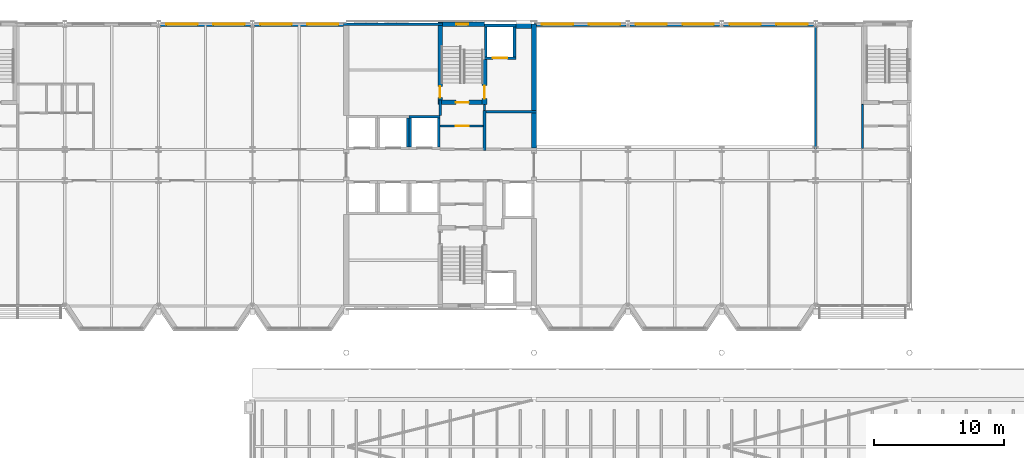
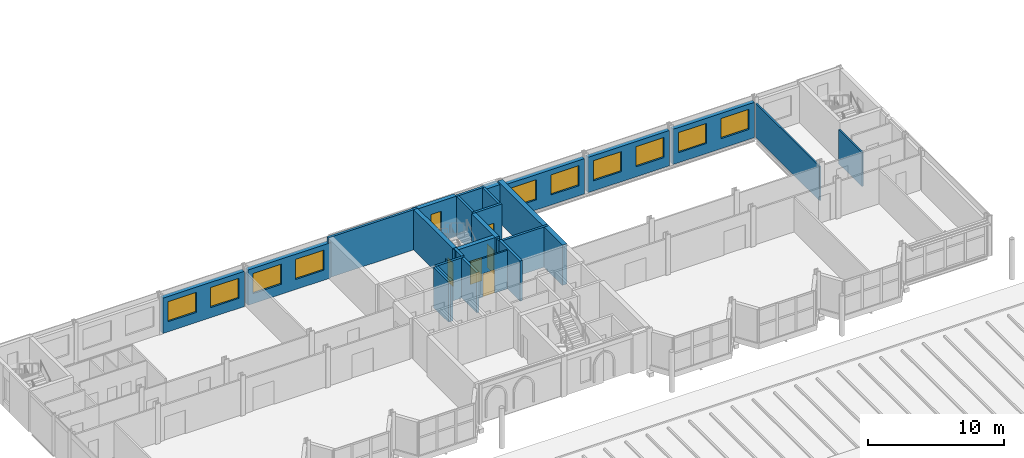
# One storey, part 64 of 120: 28 walls, 11 windows, 5 doors, 16 openings.
"""IFC4 building model written with IfcOpenShell, lengths in metres."""

from ifc_helpers import new_model, si_unit, direction, frame, frame_2d, origin, place, context, subcontext, project, spatial, rectangle, extrude, material, layer, layer_set, type_object, element, fill, save


model = new_model("IFC4")

# Units and contexts
model_context = context("Model", 3, precision=1e-05, world=origin(), true_north=direction((0.0, 1.0)))
body_context = subcontext(model_context, "Body", "Model", "MODEL_VIEW")
ifc_project = project(units=[si_unit("LENGTHUNIT", "METRE"), si_unit("AREAUNIT", "SQUARE_METRE"), si_unit("VOLUMEUNIT", "CUBIC_METRE"), si_unit("PLANEANGLEUNIT", "RADIAN"), si_unit("MASSUNIT", "GRAM", prefix="KILO")], contexts=[model_context])

# Site, building, storey
site_placement = place(None, origin())
site = spatial("IfcSite", under=ifc_project, at=site_placement, CompositionType="ELEMENT")
building_placement = place(site_placement, origin())
building = spatial("IfcBuilding", under=site, at=building_placement, Name="Kupolbacken Congress Centre", CompositionType="ELEMENT")
storey_placement = place(building_placement, frame((0.0, 0.0, 21.60009765625)))
storey = spatial("IfcBuildingStorey", under=building, at=storey_placement, Name="L06", CompositionType="ELEMENT", Elevation=21.60009765625)

# Wall, openings, windows
ifc_material_1 = material(Name="Brick", Category="masonry")
ifc_layer_1 = layer(ifc_material_1, 0.10791015625)
ifc_material_2 = material(Name="Air cavity", Category="air")
ifc_layer_2 = layer(ifc_material_2, 0.050048828125, ventilated=True)
ifc_material_3 = material(Name="Mineral wool", Category="insulation")
ifc_layer_3 = layer(ifc_material_3, 0.1298828125)
ifc_material_4 = material(Name="Steel studs", Category="metal")
ifc_layer_4 = layer(ifc_material_4, 0.052001953125)
ifc_layer_set_1 = layer_set([ifc_layer_1, ifc_layer_2, ifc_layer_3, ifc_layer_4], Name="Brick / Mineral wool / Steel studs")
wall_type_1 = type_object("IfcWallType", Name="EW02 external cavity wall 340", PredefinedType="SOLIDWALL", material=ifc_layer_set_1)
wall_1_placement = place(storey_placement, frame((129.446533203125, 144.0, 0.0), z_axis=(0.0, 0.0, 1.0), x_axis=(-1.0, 0.0, 0.0)))
wall_1 = element("IfcWall", 1, at=wall_1_placement, inside=storey, type_object=wall_type_1, Name="E/T/N/L06/085", PredefinedType="SOLIDWALL", context=body_context, shape_type="SweptSolid", body=[
    extrude(rectangle(XDim=6.89306640625, YDim=0.340087890625, at=frame_2d((3.446533203125, 0.0))), origin(), (0.0, 0.0, 1.0), 3.159912109375),
])
opening_1_placement = place(wall_1_placement, frame((4.04638671875, 0.0, 0.89990234375)))
opening_1 = element("IfcOpeningElement", 2, at=opening_1_placement, cuts=wall_1, Name="Opening W8", PredefinedType="OPENING", context=body_context, shape_type="SweptSolid", body=[
    extrude(rectangle(XDim=2.39990234375, YDim=1.800048828125, at=frame_2d((1.199951171875, 0.89990234375))), frame((0.0, 0.179931640625, 0.0), z_axis=(0.0, -1.0, 0.0), x_axis=(1.0, 0.0, 0.0)), (0.0, 0.0, 1.0), 0.360107421875),
])
opening_2_placement = place(wall_1_placement, frame((0.446533203125, 0.0, 0.89990234375)))
opening_2 = element("IfcOpeningElement", 3, at=opening_2_placement, cuts=wall_1, Name="Opening W8", PredefinedType="OPENING", context=body_context, shape_type="SweptSolid", body=[
    extrude(rectangle(XDim=2.39990234375, YDim=1.800048828125, at=frame_2d((1.199951171875, 0.89990234375))), frame((0.0, 0.179931640625, 0.0), z_axis=(0.0, -1.0, 0.0), x_axis=(1.0, 0.0, 0.0)), (0.0, 0.0, 1.0), 0.360107421875),
])
ifc_material_5 = material(Name="Aluminium frame with double or triple glazing", Category="aluminium")
window_type_1 = type_object("IfcWindowType", Name="W8 window 2400x1800", PartitioningType="DOUBLE_PANEL_VERTICAL", PredefinedType="WINDOW", material=ifc_material_5)
window_1_placement = place(opening_1_placement, origin())
window_1 = element("IfcWindow", 4, at=window_1_placement, inside=storey, type_object=window_type_1, Name="E/T/N/L06/085/W1", OverallHeight=1.800048828125, OverallWidth=2.39990234375, PartitioningType="SINGLE_PANEL", PredefinedType="WINDOW", context=body_context, shape_type="SweptSolid", body=[
    extrude(rectangle(XDim=2.39990234375, YDim=1.800048828125, at=frame_2d((1.199951171875, 0.89990234375))), frame((0.0, 0.030029296875, 0.0), z_axis=(0.0, -1.0, 0.0), x_axis=(1.0, 0.0, 0.0)), (0.0, 0.0, 1.0), 0.06005859375),
])
fill(opening_1, window_1)
window_2_placement = place(opening_2_placement, origin())
window_2 = element("IfcWindow", 5, at=window_2_placement, inside=storey, type_object=window_type_1, Name="E/T/N/L06/085/W2", OverallHeight=1.800048828125, OverallWidth=2.39990234375, PartitioningType="SINGLE_PANEL", PredefinedType="WINDOW", context=body_context, shape_type="SweptSolid", body=[
    extrude(rectangle(XDim=2.39990234375, YDim=1.800048828125, at=frame_2d((1.199951171875, 0.89990234375))), frame((0.0, 0.030029296875, 0.0), z_axis=(0.0, -1.0, 0.0), x_axis=(1.0, 0.0, 0.0)), (0.0, 0.0, 1.0), 0.06005859375),
])
fill(opening_2, window_2)

wall_2_placement = place(storey_placement, frame((122.24658203125, 144.0, 0.0), z_axis=(0.0, 0.0, 1.0), x_axis=(-1.0, 0.0, 0.0)))
wall_2 = element("IfcWall", 6, at=wall_2_placement, inside=storey, type_object=wall_type_1, Name="E/T/N/L06/086", PredefinedType="SOLIDWALL", context=body_context, shape_type="SweptSolid", body=[
    extrude(rectangle(XDim=6.89306640625, YDim=0.340087890625, at=frame_2d((3.446533203125, 0.0))), origin(), (0.0, 0.0, 1.0), 3.159912109375),
])
opening_3_placement = place(wall_2_placement, frame((4.04638671875, 0.0, 0.89990234375)))
opening_3 = element("IfcOpeningElement", 7, at=opening_3_placement, cuts=wall_2, Name="Opening W8", PredefinedType="OPENING", context=body_context, shape_type="SweptSolid", body=[
    extrude(rectangle(XDim=2.39990234375, YDim=1.800048828125, at=frame_2d((1.199951171875, 0.89990234375))), frame((0.0, 0.179931640625, 0.0), z_axis=(0.0, -1.0, 0.0), x_axis=(1.0, 0.0, 0.0)), (0.0, 0.0, 1.0), 0.360107421875),
])
opening_4_placement = place(wall_2_placement, frame((0.446533203125, 0.0, 0.89990234375)))
opening_4 = element("IfcOpeningElement", 8, at=opening_4_placement, cuts=wall_2, Name="Opening W8", PredefinedType="OPENING", context=body_context, shape_type="SweptSolid", body=[
    extrude(rectangle(XDim=2.39990234375, YDim=1.800048828125, at=frame_2d((1.199951171875, 0.89990234375))), frame((0.0, 0.179931640625, 0.0), z_axis=(0.0, -1.0, 0.0), x_axis=(1.0, 0.0, 0.0)), (0.0, 0.0, 1.0), 0.360107421875),
])
window_3_placement = place(opening_3_placement, origin())
window_3 = element("IfcWindow", 9, at=window_3_placement, inside=storey, type_object=window_type_1, Name="E/T/N/L06/086/W1", OverallHeight=1.800048828125, OverallWidth=2.39990234375, PartitioningType="SINGLE_PANEL", PredefinedType="WINDOW", context=body_context, shape_type="SweptSolid", body=[
    extrude(rectangle(XDim=2.39990234375, YDim=1.800048828125, at=frame_2d((1.199951171875, 0.89990234375))), frame((0.0, 0.030029296875, 0.0), z_axis=(0.0, -1.0, 0.0), x_axis=(1.0, 0.0, 0.0)), (0.0, 0.0, 1.0), 0.06005859375),
])
fill(opening_3, window_3)
window_4_placement = place(opening_4_placement, origin())
window_4 = element("IfcWindow", 10, at=window_4_placement, inside=storey, type_object=window_type_1, Name="E/T/N/L06/086/W2", OverallHeight=1.800048828125, OverallWidth=2.39990234375, PartitioningType="SINGLE_PANEL", PredefinedType="WINDOW", context=body_context, shape_type="SweptSolid", body=[
    extrude(rectangle(XDim=2.39990234375, YDim=1.800048828125, at=frame_2d((1.199951171875, 0.89990234375))), frame((0.0, 0.030029296875, 0.0), z_axis=(0.0, -1.0, 0.0), x_axis=(1.0, 0.0, 0.0)), (0.0, 0.0, 1.0), 0.06005859375),
])
fill(opening_4, window_4)

wall_3_placement = place(storey_placement, frame((115.04638671875, 144.0, 0.0), z_axis=(0.0, 0.0, 1.0), x_axis=(-1.0, 0.0, 0.0)))
wall_3 = element("IfcWall", 11, at=wall_3_placement, inside=storey, type_object=wall_type_1, Name="E/T/N/L06/087", PredefinedType="SOLIDWALL", context=body_context, shape_type="SweptSolid", body=[
    extrude(rectangle(XDim=7.04638671875, YDim=0.340087890625, at=frame_2d((3.523193359375, 0.0))), origin(), (0.0, 0.0, 1.0), 3.159912109375),
])
opening_5_placement = place(wall_3_placement, frame((4.04638671875, 0.0, 0.89990234375)))
opening_5 = element("IfcOpeningElement", 12, at=opening_5_placement, cuts=wall_3, Name="Opening W8", PredefinedType="OPENING", context=body_context, shape_type="SweptSolid", body=[
    extrude(rectangle(XDim=2.39990234375, YDim=1.800048828125, at=frame_2d((1.199951171875, 0.89990234375))), frame((0.0, 0.179931640625, 0.0), z_axis=(0.0, -1.0, 0.0), x_axis=(1.0, 0.0, 0.0)), (0.0, 0.0, 1.0), 0.360107421875),
])
opening_6_placement = place(wall_3_placement, frame((0.446533203125, 0.0, 0.89990234375)))
opening_6 = element("IfcOpeningElement", 13, at=opening_6_placement, cuts=wall_3, Name="Opening W8", PredefinedType="OPENING", context=body_context, shape_type="SweptSolid", body=[
    extrude(rectangle(XDim=2.39990234375, YDim=1.800048828125, at=frame_2d((1.199951171875, 0.89990234375))), frame((0.0, 0.179931640625, 0.0), z_axis=(0.0, -1.0, 0.0), x_axis=(1.0, 0.0, 0.0)), (0.0, 0.0, 1.0), 0.360107421875),
])
window_5_placement = place(opening_5_placement, origin())
window_5 = element("IfcWindow", 14, at=window_5_placement, inside=storey, type_object=window_type_1, Name="E/T/N/L06/087/W1", OverallHeight=1.800048828125, OverallWidth=2.39990234375, PartitioningType="SINGLE_PANEL", PredefinedType="WINDOW", context=body_context, shape_type="SweptSolid", body=[
    extrude(rectangle(XDim=2.39990234375, YDim=1.800048828125, at=frame_2d((1.199951171875, 0.89990234375))), frame((0.0, 0.030029296875, 0.0), z_axis=(0.0, -1.0, 0.0), x_axis=(1.0, 0.0, 0.0)), (0.0, 0.0, 1.0), 0.06005859375),
])
fill(opening_5, window_5)
window_6_placement = place(opening_6_placement, origin())
window_6 = element("IfcWindow", 15, at=window_6_placement, inside=storey, type_object=window_type_1, Name="E/T/N/L06/087/W2", OverallHeight=1.800048828125, OverallWidth=2.39990234375, PartitioningType="SINGLE_PANEL", PredefinedType="WINDOW", context=body_context, shape_type="SweptSolid", body=[
    extrude(rectangle(XDim=2.39990234375, YDim=1.800048828125, at=frame_2d((1.199951171875, 0.89990234375))), frame((0.0, 0.030029296875, 0.0), z_axis=(0.0, -1.0, 0.0), x_axis=(1.0, 0.0, 0.0)), (0.0, 0.0, 1.0), 0.06005859375),
])
fill(opening_6, window_6)

wall_4_placement = place(storey_placement, frame((93.60009765625, 144.0, 0.0), z_axis=(0.0, 0.0, 1.0), x_axis=(-1.0, 0.0, 0.0)))
wall_4 = element("IfcWall", 16, at=wall_4_placement, inside=storey, type_object=wall_type_1, Name="E/T/N/L06/089", PredefinedType="SOLIDWALL", context=body_context, shape_type="SweptSolid", body=[
    extrude(rectangle(XDim=7.046630859375, YDim=0.340087890625, at=frame_2d((3.5234375, 0.0))), origin(), (0.0, 0.0, 1.0), 3.159912109375),
])
opening_7_placement = place(wall_4_placement, frame((4.199951171875, 0.0, 0.89990234375)))
opening_7 = element("IfcOpeningElement", 17, at=opening_7_placement, cuts=wall_4, Name="Opening W8", PredefinedType="OPENING", context=body_context, shape_type="SweptSolid", body=[
    extrude(rectangle(XDim=2.39990234375, YDim=1.800048828125, at=frame_2d((1.199951171875, 0.89990234375))), frame((0.0, 0.179931640625, 0.0), z_axis=(0.0, -1.0, 0.0), x_axis=(1.0, 0.0, 0.0)), (0.0, 0.0, 1.0), 0.360107421875),
])
opening_8_placement = place(wall_4_placement, frame((0.60009765625, 0.0, 0.89990234375)))
opening_8 = element("IfcOpeningElement", 18, at=opening_8_placement, cuts=wall_4, Name="Opening W8", PredefinedType="OPENING", context=body_context, shape_type="SweptSolid", body=[
    extrude(rectangle(XDim=2.39990234375, YDim=1.800048828125, at=frame_2d((1.199951171875, 0.89990234375))), frame((0.0, 0.179931640625, 0.0), z_axis=(0.0, -1.0, 0.0), x_axis=(1.0, 0.0, 0.0)), (0.0, 0.0, 1.0), 0.360107421875),
])
window_7_placement = place(opening_7_placement, origin())
window_7 = element("IfcWindow", 19, at=window_7_placement, inside=storey, type_object=window_type_1, Name="E/T/N/L06/089/W1", OverallHeight=1.800048828125, OverallWidth=2.39990234375, PartitioningType="SINGLE_PANEL", PredefinedType="WINDOW", context=body_context, shape_type="SweptSolid", body=[
    extrude(rectangle(XDim=2.39990234375, YDim=1.800048828125, at=frame_2d((1.199951171875, 0.89990234375))), frame((0.0, 0.030029296875, 0.0), z_axis=(0.0, -1.0, 0.0), x_axis=(1.0, 0.0, 0.0)), (0.0, 0.0, 1.0), 0.06005859375),
])
fill(opening_7, window_7)
window_8_placement = place(opening_8_placement, origin())
window_8 = element("IfcWindow", 20, at=window_8_placement, inside=storey, type_object=window_type_1, Name="E/T/N/L06/089/W2", OverallHeight=1.800048828125, OverallWidth=2.39990234375, PartitioningType="SINGLE_PANEL", PredefinedType="WINDOW", context=body_context, shape_type="SweptSolid", body=[
    extrude(rectangle(XDim=2.39990234375, YDim=1.800048828125, at=frame_2d((1.199951171875, 0.89990234375))), frame((0.0, 0.030029296875, 0.0), z_axis=(0.0, -1.0, 0.0), x_axis=(1.0, 0.0, 0.0)), (0.0, 0.0, 1.0), 0.06005859375),
])
fill(opening_8, window_8)

wall_5_placement = place(storey_placement, frame((86.24658203125, 144.0, 0.0), z_axis=(0.0, 0.0, 1.0), x_axis=(-1.0, 0.0, 0.0)))
wall_5 = element("IfcWall", 21, at=wall_5_placement, inside=storey, type_object=wall_type_1, Name="E/T/N/L06/090", PredefinedType="SOLIDWALL", context=body_context, shape_type="SweptSolid", body=[
    extrude(rectangle(XDim=6.89306640625, YDim=0.340087890625, at=frame_2d((3.446533203125, 0.0))), origin(), (0.0, 0.0, 1.0), 3.159912109375),
])
opening_9_placement = place(wall_5_placement, frame((4.04638671875, 0.0, 0.89990234375)))
opening_9 = element("IfcOpeningElement", 22, at=opening_9_placement, cuts=wall_5, Name="Opening W8", PredefinedType="OPENING", context=body_context, shape_type="SweptSolid", body=[
    extrude(rectangle(XDim=2.39990234375, YDim=1.800048828125, at=frame_2d((1.199951171875, 0.89990234375))), frame((0.0, 0.179931640625, 0.0), z_axis=(0.0, -1.0, 0.0), x_axis=(1.0, 0.0, 0.0)), (0.0, 0.0, 1.0), 0.360107421875),
])
opening_10_placement = place(wall_5_placement, frame((0.446533203125, 0.0, 0.89990234375)))
opening_10 = element("IfcOpeningElement", 23, at=opening_10_placement, cuts=wall_5, Name="Opening W8", PredefinedType="OPENING", context=body_context, shape_type="SweptSolid", body=[
    extrude(rectangle(XDim=2.39990234375, YDim=1.800048828125, at=frame_2d((1.199951171875, 0.89990234375))), frame((0.0, 0.179931640625, 0.0), z_axis=(0.0, -1.0, 0.0), x_axis=(1.0, 0.0, 0.0)), (0.0, 0.0, 1.0), 0.360107421875),
])
window_9_placement = place(opening_9_placement, origin())
window_9 = element("IfcWindow", 24, at=window_9_placement, inside=storey, type_object=window_type_1, Name="E/T/N/L06/090/W1", OverallHeight=1.800048828125, OverallWidth=2.39990234375, PartitioningType="SINGLE_PANEL", PredefinedType="WINDOW", context=body_context, shape_type="SweptSolid", body=[
    extrude(rectangle(XDim=2.39990234375, YDim=1.800048828125, at=frame_2d((1.199951171875, 0.89990234375))), frame((0.0, 0.030029296875, 0.0), z_axis=(0.0, -1.0, 0.0), x_axis=(1.0, 0.0, 0.0)), (0.0, 0.0, 1.0), 0.06005859375),
])
fill(opening_9, window_9)
window_10_placement = place(opening_10_placement, origin())
window_10 = element("IfcWindow", 25, at=window_10_placement, inside=storey, type_object=window_type_1, Name="E/T/N/L06/090/W2", OverallHeight=1.800048828125, OverallWidth=2.39990234375, PartitioningType="SINGLE_PANEL", PredefinedType="WINDOW", context=body_context, shape_type="SweptSolid", body=[
    extrude(rectangle(XDim=2.39990234375, YDim=1.800048828125, at=frame_2d((1.199951171875, 0.89990234375))), frame((0.0, 0.030029296875, 0.0), z_axis=(0.0, -1.0, 0.0), x_axis=(1.0, 0.0, 0.0)), (0.0, 0.0, 1.0), 0.06005859375),
])
fill(opening_10, window_10)

# Walls
ifc_material_6 = material(Name="Concrete C40/50", Category="concrete")
ifc_layer_5 = layer(ifc_material_6, 0.35009765625)
ifc_layer_6 = layer(ifc_material_3, 0.1220703125)
ifc_layer_7 = layer(ifc_material_2, 0.0400390625, ventilated=True)
ifc_layer_8 = layer(ifc_material_1, 0.10791015625)
ifc_layer_set_2 = layer_set([ifc_layer_5, ifc_layer_6, ifc_layer_7, ifc_layer_8], Name="Concrete C40/50 / Mineral wool / Brick")
wall_type_2 = type_object("IfcWallType", Name="EW10 external cavity wall 620", PredefinedType="SOLIDWALL", material=ifc_layer_set_2)
wall_6_placement = place(storey_placement, frame((107.800048828125, 144.0, 0.0), z_axis=(0.0, 0.0, 1.0), x_axis=(-1.0, 0.0, 0.0)))
element("IfcWall", 26, at=wall_6_placement, inside=storey, type_object=wall_type_2, Name="E/T/N/L06/088", PredefinedType="SOLIDWALL", context=body_context, shape_type="SweptSolid", body=[
    extrude(rectangle(XDim=1.199951171875, YDim=0.6201171875, at=frame_2d((0.60009765625, 0.0))), origin(), (0.0, 0.0, 1.0), 3.4599609375),
])
ifc_material_7 = material(Name="Gypsum board", Category="drywall")
ifc_layer_9 = layer(ifc_material_7, 0.135009765625)
ifc_layer_set_3 = layer_set([ifc_layer_9], Name="Gypsum board")
wall_type_3 = type_object("IfcWallType", Name="P06 compartment wall 135", PredefinedType="PARTITIONING", material=ifc_layer_set_3)
wall_7_placement = place(storey_placement, frame((129.60009765625, 134.467529296875, 0.0), z_axis=(0.0, 0.0, 1.0), x_axis=(0.0, 1.0, 0.0)))
element("IfcWall", 27, at=wall_7_placement, inside=storey, type_object=wall_type_3, Name="T/wall/L06/y/12960/13440", PredefinedType="PARTITIONING", context=body_context, shape_type="SweptSolid", body=[
    extrude(rectangle(XDim=9.362548828125, YDim=0.135009765625, at=frame_2d((4.68115234375, 0.0))), origin(), (0.0, 0.0, 1.0), 3.059814453125),
])

# Wall, opening, door
ifc_material_8 = material(Name="Aerated concrete block", Category="masonry")
ifc_layer_10 = layer(ifc_material_8, 0.139892578125)
ifc_layer_set_4 = layer_set([ifc_layer_10], Name="Aerated concrete block")
wall_type_4 = type_object("IfcWallType", Name="P14 compartment wall 140", PredefinedType="PARTITIONING", material=ifc_layer_set_4)
wall_8_placement = place(storey_placement, frame((100.800048828125, 136.199951171875, 0.0), z_axis=(0.0, 0.0, 1.0), x_axis=(1.0, 0.0, 0.0)))
wall_8 = element("IfcWall", 28, at=wall_8_placement, inside=storey, type_object=wall_type_4, Name="T/wall/L06/x/13620/10080", PredefinedType="PARTITIONING", context=body_context, shape_type="SweptSolid", body=[
    extrude(rectangle(XDim=3.300048828125, YDim=0.139892578125, at=frame_2d((1.64990234375, 0.0))), origin(), (0.0, 0.0, 1.0), 3.4599609375),
])
opening_11_placement = place(wall_8_placement, frame((1.199951171875, 0.0, 0.0)))
opening_11 = element("IfcOpeningElement", 29, at=opening_11_placement, cuts=wall_8, Name="Opening D5", PredefinedType="OPENING", context=body_context, shape_type="SweptSolid", body=[
    extrude(rectangle(XDim=1.0, YDim=2.10009765625, at=frame_2d((0.5, 1.050048828125))), frame((0.0, 0.079833984375, 0.0), z_axis=(0.0, -1.0, 0.0), x_axis=(1.0, 0.0, 0.0)), (0.0, 0.0, 1.0), 0.159912109375),
])
ifc_material_9 = material(Name="Steel fire door leaf", Category="steel")
door_type_1 = type_object("IfcDoorType", Name="D5 stair door 1000x2100", OperationType="SINGLE_SWING_LEFT", PredefinedType="DOOR", material=ifc_material_9)
door_1_placement = place(opening_11_placement, frame((1.0, 0.0, 0.0), z_axis=(0.0, 0.0, 1.0), x_axis=(-1.0, 0.0, 0.0)))
door_1 = element("IfcDoor", 30, at=door_1_placement, inside=storey, type_object=door_type_1, Name="T/wall/L06/x/13620/10080/D-TS2-LK2", OperationType="SINGLE_SWING_RIGHT", OverallHeight=2.10009765625, OverallWidth=1.0, PredefinedType="DOOR", context=body_context, shape_type="SweptSolid", body=[
    extrude(rectangle(XDim=1.0, YDim=2.10009765625, at=frame_2d((0.5, 1.050048828125))), frame((0.0, 0.02490234375, 0.0), z_axis=(0.0, -1.0, 0.0), x_axis=(1.0, 0.0, 0.0)), (0.0, 0.0, 1.0), 0.050048828125),
])
fill(opening_11, door_1)

# Walls
wall_9_placement = place(storey_placement, frame((104.199951171875, 137.39990234375, 0.0), z_axis=(0.0, 0.0, 1.0), x_axis=(0.0, 1.0, 0.0)))
element("IfcWall", 31, at=wall_9_placement, inside=storey, type_object=wall_type_4, Name="T/wall/L06/y/10420/13740", PredefinedType="PARTITIONING", context=body_context, shape_type="SweptSolid", body=[
    extrude(rectangle(XDim=0.425048828125, YDim=0.139892578125, at=frame_2d((0.21240234375, 0.0))), origin(), (0.0, 0.0, 1.0), 3.4599609375),
])
wall_10_placement = place(storey_placement, frame((133.199951171875, 134.469970703125, 0.0), z_axis=(0.0, 0.0, 1.0), x_axis=(0.0, 1.0, 0.0)))
element("IfcWall", 32, at=wall_10_placement, inside=storey, type_object=wall_type_4, Name="T/wall/L06/y/13320/13440", PredefinedType="PARTITIONING", context=body_context, shape_type="SweptSolid", body=[
    extrude(rectangle(XDim=3.380126953125, YDim=0.139892578125, at=frame_2d((1.68994140625, 0.0))), origin(), (0.0, 0.0, 1.0), 3.059814453125),
])
ifc_material_10 = material(Name="Concrete C40/50", Category="concrete")
ifc_layer_11 = layer(ifc_material_10, 0.199951171875)
ifc_layer_set_5 = layer_set([ifc_layer_11], Name="Concrete C40/50")
wall_type_5 = type_object("IfcWallType", Name="WC1 RC shaft wall 200", PredefinedType="SHEAR", material=ifc_layer_set_5)
wall_11_placement = place(storey_placement, frame((100.800048828125, 137.0, 0.0), z_axis=(0.0, 0.0, 1.0), x_axis=(0.0, 1.0, 0.0)))
element("IfcWall", 33, at=wall_11_placement, inside=storey, type_object=wall_type_5, Name="Shaft wall L06-114", PredefinedType="SHEAR", context=body_context, shape_type="SweptSolid", body=[
    extrude(rectangle(XDim=1.175048828125, YDim=0.199951171875, at=frame_2d((0.58740234375, 0.0))), origin(), (0.0, 0.0, 1.0), 3.599853515625),
])
wall_12_placement = place(storey_placement, frame((104.199951171875, 137.39990234375, 0.0), z_axis=(0.0, 0.0, 1.0), x_axis=(0.0, -1.0, 0.0)))
element("IfcWall", 34, at=wall_12_placement, inside=storey, type_object=wall_type_5, Name="Shaft wall L06-115", PredefinedType="SHEAR", context=body_context, shape_type="SweptSolid", body=[
    extrude(rectangle(XDim=3.099853515625, YDim=0.199951171875, at=frame_2d((1.5498046875, 0.0))), origin(), (0.0, 0.0, 1.0), 3.599853515625),
])
wall_13_placement = place(storey_placement, frame((108.199951171875, 137.300048828125, 0.0), z_axis=(0.0, 0.0, 1.0), x_axis=(-1.0, 0.0, 0.0)))
element("IfcWall", 35, at=wall_13_placement, inside=storey, type_object=wall_type_5, Name="Shaft wall L06-116", PredefinedType="SHEAR", context=body_context, shape_type="SweptSolid", body=[
    extrude(rectangle(XDim=4.099853515625, YDim=0.199951171875, at=frame_2d((2.0498046875, 0.0))), origin(), (0.0, 0.0, 1.0), 3.599853515625),
])
wall_14_placement = place(storey_placement, frame((100.97509765625, 144.0, 0.0), z_axis=(0.0, 0.0, 1.0), x_axis=(-1.0, 0.0, 0.0)))
element("IfcWall", 36, at=wall_14_placement, inside=storey, type_object=wall_type_5, Name="Shaft wall L06-128", PredefinedType="SHEAR", context=body_context, shape_type="SweptSolid", body=[
    extrude(rectangle(XDim=7.5751953125, YDim=0.199951171875, at=frame_2d((3.78759765625, 0.0))), origin(), (0.0, 0.0, 1.0), 3.599853515625),
])
wall_15_placement = place(storey_placement, frame((98.300048828125, 134.60009765625, 0.0), z_axis=(0.0, 0.0, 1.0), x_axis=(0.0, 1.0, 0.0)))
element("IfcWall", 37, at=wall_15_placement, inside=storey, type_object=wall_type_5, Name="Shaft wall LP13", PredefinedType="SHEAR", context=body_context, shape_type="SweptSolid", body=[
    extrude(rectangle(XDim=2.199951171875, YDim=0.199951171875, at=frame_2d((1.10009765625, 0.0))), origin(), (0.0, 0.0, 1.0), 3.599853515625),
])
wall_16_placement = place(storey_placement, frame((98.39990234375, 136.89990234375, 0.0), z_axis=(0.0, 0.0, 1.0), x_axis=(1.0, 0.0, 0.0)))
element("IfcWall", 38, at=wall_16_placement, inside=storey, type_object=wall_type_5, Name="Shaft wall LP14", PredefinedType="SHEAR", context=body_context, shape_type="SweptSolid", body=[
    extrude(rectangle(XDim=2.400146484375, YDim=0.199951171875, at=frame_2d((1.2001953125, 0.0))), origin(), (0.0, 0.0, 1.0), 3.599853515625),
])
for number, where, z_axis, x_axis, name in (
    (39, (98.5, 134.60009765625, 0.0), (0.0, 0.0, 1.0), (0.0, 1.0, 0.0), "Shaft wall LP14"),
    (40, (100.699951171875, 134.60009765625, 0.0), (0.0, 0.0, 1.0), (0.0, 1.0, 0.0), "Shaft wall LP14"),
):
    element("IfcWall", number, at=place(storey_placement, frame(where, z_axis=z_axis, x_axis=x_axis)), inside=storey, type_object=wall_type_5, Name=name, PredefinedType="SHEAR", context=body_context, shape_type="SweptSolid", body=[
        extrude(rectangle(XDim=2.199951171875, YDim=0.199951171875, at=frame_2d((1.10009765625, 0.0))), origin(), (0.0, 0.0, 1.0), 3.599853515625),
    ])

# Wall, opening, door
wall_17_placement = place(storey_placement, frame((104.199951171875, 141.39990234375, 0.0), z_axis=(0.0, 0.0, 1.0), x_axis=(1.0, 0.0, 0.0)))
wall_17 = element("IfcWall", 41, at=wall_17_placement, inside=storey, type_object=wall_type_5, Name="Shaft wall LF2", PredefinedType="SHEAR", context=body_context, shape_type="SweptSolid", body=[
    extrude(rectangle(XDim=2.400146484375, YDim=0.199951171875, at=frame_2d((1.2001953125, 0.0))), origin(), (0.0, 0.0, 1.0), 3.599853515625),
])
opening_12_placement = place(wall_17_placement, frame((0.64990234375, 0.0, 0.0)))
opening_12 = element("IfcOpeningElement", 42, at=opening_12_placement, cuts=wall_17, Name="Opening LD2", PredefinedType="OPENING", context=body_context, shape_type="SweptSolid", body=[
    extrude(rectangle(XDim=1.10009765625, YDim=2.10009765625, at=frame_2d((0.550048828125, 1.050048828125))), frame((0.0, 0.10986328125, 0.0), z_axis=(0.0, -1.0, 0.0), x_axis=(1.0, 0.0, 0.0)), (0.0, 0.0, 1.0), 0.219970703125),
])
ifc_material_11 = material(Name="Stainless steel door leaf", Category="steel")
door_type_2 = type_object("IfcDoorType", Name="LD2 lift landing door 1100x2100", OperationType="SLIDING_TO_LEFT", PredefinedType="DOOR", material=ifc_material_11)
door_2_placement = place(opening_12_placement, origin())
door_2 = element("IfcDoor", 43, at=door_2_placement, inside=storey, type_object=door_type_2, Name="Lift landing door LF2", OperationType="SLIDING_TO_LEFT", OverallHeight=2.10009765625, OverallWidth=1.10009765625, PredefinedType="DOOR", context=body_context, shape_type="SweptSolid", body=[
    extrude(rectangle(XDim=1.10009765625, YDim=2.10009765625, at=frame_2d((0.550048828125, 1.050048828125))), frame((0.0, 0.02490234375, 0.0), z_axis=(0.0, -1.0, 0.0), x_axis=(1.0, 0.0, 0.0)), (0.0, 0.0, 1.0), 0.050048828125),
])
fill(opening_12, door_2)

# Walls
wall_18_placement = place(storey_placement, frame((104.199951171875, 143.89990234375, 0.0), z_axis=(0.0, 0.0, 1.0), x_axis=(1.0, 0.0, 0.0)))
element("IfcWall", 44, at=wall_18_placement, inside=storey, type_object=wall_type_5, Name="Shaft wall LF2", PredefinedType="SHEAR", context=body_context, shape_type="SweptSolid", body=[
    extrude(rectangle(XDim=2.400146484375, YDim=0.199951171875, at=frame_2d((1.2001953125, 0.0))), origin(), (0.0, 0.0, 1.0), 3.599853515625),
])
for number, where, z_axis, x_axis, name in (
    (45, (104.300048828125, 141.5, 0.0), (0.0, 0.0, 1.0), (0.0, 1.0, 0.0), "Shaft wall LF2"),
    (46, (106.5, 141.5, 0.0), (0.0, 0.0, 1.0), (0.0, 1.0, 0.0), "Shaft wall LF2"),
):
    element("IfcWall", number, at=place(storey_placement, frame(where, z_axis=z_axis, x_axis=x_axis)), inside=storey, type_object=wall_type_5, Name=name, PredefinedType="SHEAR", context=body_context, shape_type="SweptSolid", body=[
        extrude(rectangle(XDim=2.300048828125, YDim=0.199951171875, at=frame_2d((1.14990234375, 0.0))), origin(), (0.0, 0.0, 1.0), 3.599853515625),
    ])

# Wall, opening, door
ifc_material_12 = material(Name="Concrete C40/50", Category="concrete")
ifc_layer_12 = layer(ifc_material_12, 0.35009765625)
ifc_layer_set_6 = layer_set([ifc_layer_12], Name="Concrete C40/50")
wall_type_6 = type_object("IfcWallType", Name="WC4 RC core wall 350", PredefinedType="SHEAR", material=ifc_layer_set_6)
wall_19_placement = place(storey_placement, frame((100.625, 138.0, 0.0), z_axis=(0.0, 0.0, 1.0), x_axis=(1.0, 0.0, 0.0)))
wall_19 = element("IfcWall", 47, at=wall_19_placement, inside=storey, type_object=wall_type_6, Name="Core wall L06-120", PredefinedType="SHEAR", context=body_context, shape_type="SweptSolid", body=[
    extrude(rectangle(XDim=3.75, YDim=0.35009765625, at=frame_2d((1.875, 0.0))), origin(), (0.0, 0.0, 1.0), 3.599853515625),
])
opening_13_placement = place(wall_19_placement, frame((1.375, 0.0, 0.0)))
opening_13 = element("IfcOpeningElement", 48, at=opening_13_placement, cuts=wall_19, Name="Opening D5", PredefinedType="OPENING", context=body_context, shape_type="SweptSolid", body=[
    extrude(rectangle(XDim=1.0, YDim=2.10009765625, at=frame_2d((0.5, 1.050048828125))), frame((0.0, 0.18505859375, 0.0), z_axis=(0.0, -1.0, 0.0), x_axis=(1.0, 0.0, 0.0)), (0.0, 0.0, 1.0), 0.3701171875),
])
door_3_placement = place(opening_13_placement, origin())
door_3 = element("IfcDoor", 49, at=door_3_placement, inside=storey, type_object=door_type_1, Name="S/core/L06/120/D-TS2-LK1", OperationType="SINGLE_SWING_RIGHT", OverallHeight=2.10009765625, OverallWidth=1.0, PredefinedType="DOOR", context=body_context, shape_type="SweptSolid", body=[
    extrude(rectangle(XDim=1.0, YDim=2.10009765625, at=frame_2d((0.5, 1.050048828125))), frame((0.0, 0.02490234375, 0.0), z_axis=(0.0, -1.0, 0.0), x_axis=(1.0, 0.0, 0.0)), (0.0, 0.0, 1.0), 0.050048828125),
])
fill(opening_13, door_3)

wall_20_placement = place(storey_placement, frame((104.199951171875, 137.824951171875, 0.0), z_axis=(0.0, 0.0, 1.0), x_axis=(0.0, 1.0, 0.0)))
wall_20 = element("IfcWall", 50, at=wall_20_placement, inside=storey, type_object=wall_type_6, Name="Core wall L06-121", PredefinedType="SHEAR", context=body_context, shape_type="SweptSolid", body=[
    extrude(rectangle(XDim=3.47509765625, YDim=0.35009765625, at=frame_2d((1.737548828125, 0.0))), origin(), (0.0, 0.0, 1.0), 3.599853515625),
])
opening_14_placement = place(wall_20_placement, frame((0.47509765625, 0.0, 0.0)))
opening_14 = element("IfcOpeningElement", 51, at=opening_14_placement, cuts=wall_20, Name="Opening D5", PredefinedType="OPENING", context=body_context, shape_type="SweptSolid", body=[
    extrude(rectangle(XDim=1.0, YDim=2.10009765625, at=frame_2d((0.5, 1.050048828125))), frame((0.0, 0.18505859375, 0.0), z_axis=(0.0, -1.0, 0.0), x_axis=(1.0, 0.0, 0.0)), (0.0, 0.0, 1.0), 0.3701171875),
])
door_4_placement = place(opening_14_placement, origin())
door_4 = element("IfcDoor", 52, at=door_4_placement, inside=storey, type_object=door_type_1, Name="S/core/L06/121/D-TFL2-A", OperationType="SINGLE_SWING_RIGHT", OverallHeight=2.10009765625, OverallWidth=1.0, PredefinedType="DOOR", context=body_context, shape_type="SweptSolid", body=[
    extrude(rectangle(XDim=1.0, YDim=2.10009765625, at=frame_2d((0.5, 1.050048828125))), frame((0.0, 0.02490234375, 0.0), z_axis=(0.0, -1.0, 0.0), x_axis=(1.0, 0.0, 0.0)), (0.0, 0.0, 1.0), 0.050048828125),
])
fill(opening_14, door_4)

wall_21_placement = place(storey_placement, frame((100.800048828125, 144.175048828125, 0.0), z_axis=(0.0, 0.0, 1.0), x_axis=(0.0, -1.0, 0.0)))
wall_21 = element("IfcWall", 53, at=wall_21_placement, inside=storey, type_object=wall_type_6, Name="Core wall L06-127", PredefinedType="SHEAR", context=body_context, shape_type="SweptSolid", body=[
    extrude(rectangle(XDim=6.0, YDim=0.35009765625, at=frame_2d((3.0, 0.0))), origin(), (0.0, 0.0, 1.0), 3.599853515625),
])
opening_15_placement = place(wall_21_placement, frame((4.949951171875, 0.0, 0.0)))
opening_15 = element("IfcOpeningElement", 54, at=opening_15_placement, cuts=wall_21, Name="Opening D3", PredefinedType="OPENING", context=body_context, shape_type="SweptSolid", body=[
    extrude(rectangle(XDim=0.85009765625, YDim=2.10009765625, at=frame_2d((0.425048828125, 1.050048828125))), frame((0.0, 0.18505859375, 0.0), z_axis=(0.0, -1.0, 0.0), x_axis=(1.0, 0.0, 0.0)), (0.0, 0.0, 1.0), 0.3701171875),
])
ifc_material_13 = material(Name="Steel fire door leaf", Category="steel")
door_type_3 = type_object("IfcDoorType", Name="D3 fire door 850x2100", OperationType="SINGLE_SWING_LEFT", PredefinedType="DOOR", material=ifc_material_13)
door_5_placement = place(opening_15_placement, origin())
door_5 = element("IfcDoor", 55, at=door_5_placement, inside=storey, type_object=door_type_3, Name="S/core/L06/127/D-TR2-A", OperationType="SINGLE_SWING_LEFT", OverallHeight=2.10009765625, OverallWidth=0.85009765625, PredefinedType="DOOR", context=body_context, shape_type="SweptSolid", body=[
    extrude(rectangle(XDim=0.85009765625, YDim=2.10009765625, at=frame_2d((0.425048828125, 1.050048828125))), frame((0.0, 0.02490234375, 0.0), z_axis=(0.0, -1.0, 0.0), x_axis=(1.0, 0.0, 0.0)), (0.0, 0.0, 1.0), 0.050048828125),
])
fill(opening_15, door_5)

# Wall, opening, window
wall_22_placement = place(storey_placement, frame((104.199951171875, 144.0, 0.0), z_axis=(0.0, 0.0, 1.0), x_axis=(-1.0, 0.0, 0.0)))
wall_22 = element("IfcWall", 56, at=wall_22_placement, inside=storey, type_object=wall_type_6, Name="Core wall L06-129", PredefinedType="SHEAR", context=body_context, shape_type="SweptSolid", body=[
    extrude(rectangle(XDim=3.224853515625, YDim=0.35009765625, at=frame_2d((1.6123046875, 0.0))), origin(), (0.0, 0.0, 1.0), 3.599853515625),
])
opening_16_placement = place(wall_22_placement, frame((1.25, 0.0, 0.60009765625)))
opening_16 = element("IfcOpeningElement", 57, at=opening_16_placement, cuts=wall_22, Name="Opening W28", PredefinedType="OPENING", context=body_context, shape_type="SweptSolid", body=[
    extrude(rectangle(XDim=0.89990234375, YDim=2.10009765625, at=frame_2d((0.449951171875, 1.050048828125))), frame((0.0, 0.18505859375, 0.0), z_axis=(0.0, -1.0, 0.0), x_axis=(1.0, 0.0, 0.0)), (0.0, 0.0, 1.0), 0.3701171875),
])
ifc_material_14 = material(Name="Aluminium frame with double or triple glazing", Category="aluminium")
window_type_2 = type_object("IfcWindowType", Name="W28 window 900x2100", PartitioningType="SINGLE_PANEL", PredefinedType="WINDOW", material=ifc_material_14)
window_11_placement = place(opening_16_placement, origin())
window_11 = element("IfcWindow", 58, at=window_11_placement, inside=storey, type_object=window_type_2, Name="S/core/L06/129/WW28", OverallHeight=2.10009765625, OverallWidth=0.89990234375, PartitioningType="SINGLE_PANEL", PredefinedType="WINDOW", context=body_context, shape_type="SweptSolid", body=[
    extrude(rectangle(XDim=0.89990234375, YDim=2.10009765625, at=frame_2d((0.449951171875, 1.050048828125))), frame((0.0, 0.030029296875, 0.0), z_axis=(0.0, -1.0, 0.0), x_axis=(1.0, 0.0, 0.0)), (0.0, 0.0, 1.0), 0.06005859375),
])
fill(opening_16, window_11)

# Walls
ifc_material_15 = material(Name="Concrete C40/50", Category="concrete")
ifc_layer_13 = layer(ifc_material_15, 0.39990234375)
ifc_layer_set_7 = layer_set([ifc_layer_13], Name="Concrete C40/50")
wall_type_7 = type_object("IfcWallType", Name="WC5 RC core wall 400", PredefinedType="SHEAR", material=ifc_layer_set_7)
wall_23_placement = place(storey_placement, frame((108.0, 134.5, 0.0), z_axis=(0.0, 0.0, 1.0), x_axis=(0.0, 1.0, 0.0)))
element("IfcWall", 59, at=wall_23_placement, inside=storey, type_object=wall_type_7, Name="Core wall L06-113", PredefinedType="SHEAR", context=body_context, shape_type="SweptSolid", body=[
    extrude(rectangle(XDim=2.89990234375, YDim=0.39990234375, at=frame_2d((1.449951171875, 0.0))), origin(), (0.0, 0.0, 1.0), 3.599853515625),
])
wall_24_placement = place(storey_placement, frame((108.0, 137.39990234375, 0.0), z_axis=(0.0, 0.0, 1.0), x_axis=(0.0, 1.0, 0.0)))
element("IfcWall", 60, at=wall_24_placement, inside=storey, type_object=wall_type_7, Name="Core wall L06-117", PredefinedType="SHEAR", context=body_context, shape_type="SweptSolid", body=[
    extrude(rectangle(XDim=6.60009765625, YDim=0.39990234375, at=frame_2d((3.300048828125, 0.0))), origin(), (0.0, 0.0, 1.0), 3.599853515625),
])

save(model, "model.ifc")
